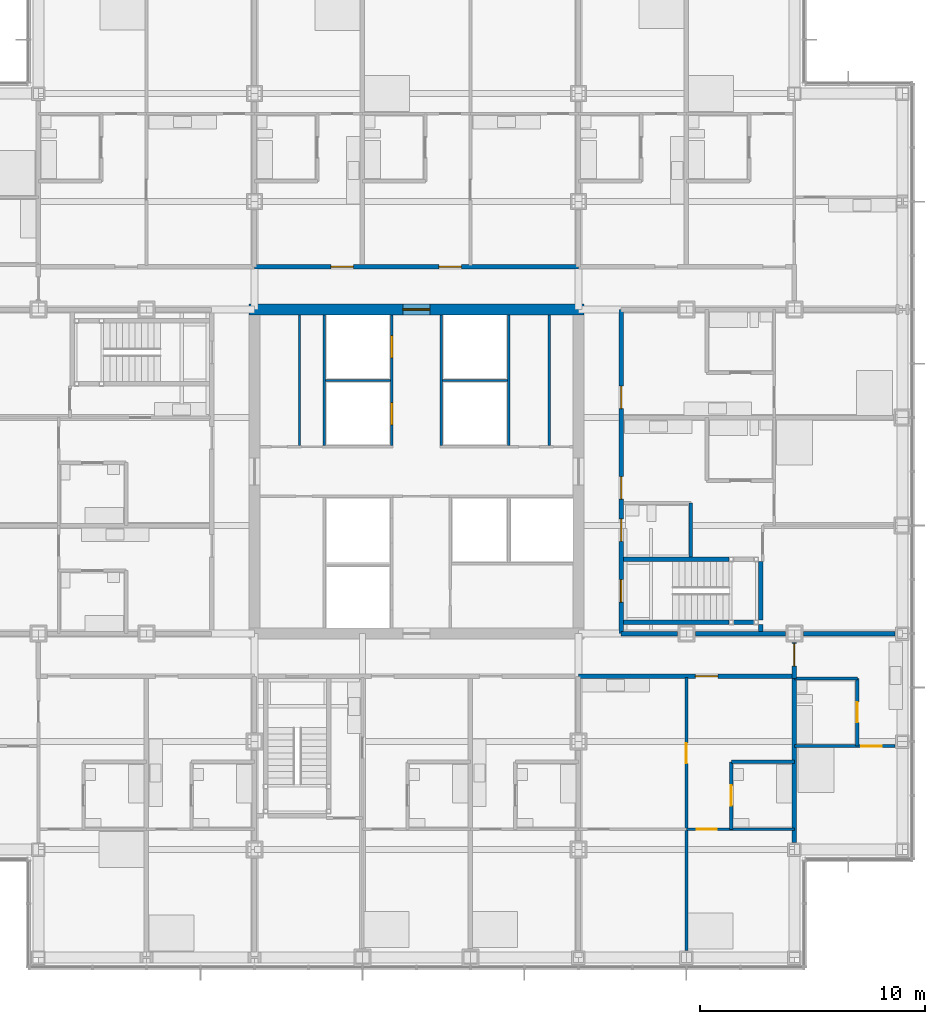
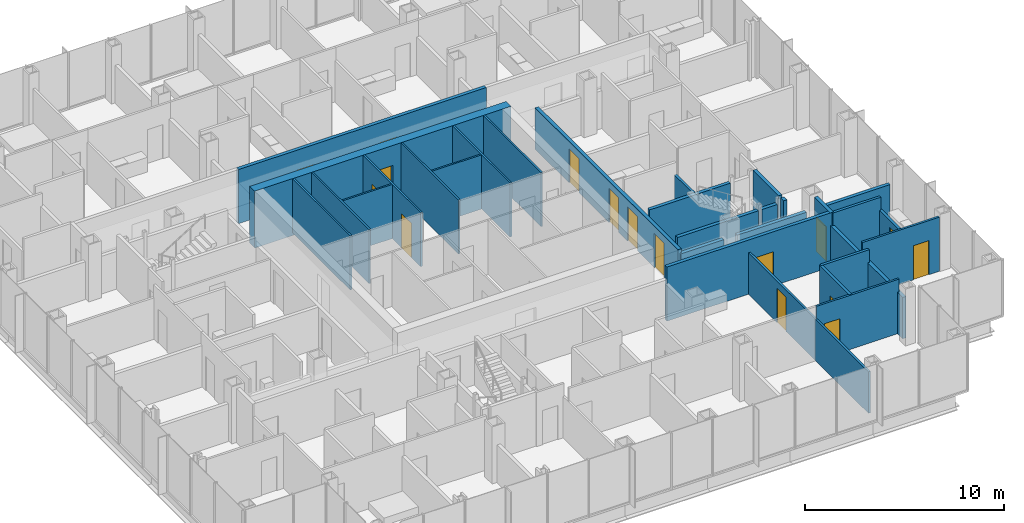
# One storey, part 16 of 21: 31 walls, 16 doors, 16 openings.
"""IFC4 building model written with IfcOpenShell, lengths in metres."""

from ifc_helpers import new_model, si_unit, direction, frame, frame_2d, origin, place, context, subcontext, project, spatial, rectangle, extrude, material, layer, layer_set, type_object, element, fill, save


model = new_model("IFC4")

# Units and contexts
model_context = context("Model", 3, precision=1e-05, world=origin(), true_north=direction((0.0, 1.0)))
body_context = subcontext(model_context, "Body", "Model", "MODEL_VIEW")
ifc_project = project(units=[si_unit("LENGTHUNIT", "METRE"), si_unit("AREAUNIT", "SQUARE_METRE"), si_unit("VOLUMEUNIT", "CUBIC_METRE"), si_unit("PLANEANGLEUNIT", "RADIAN"), si_unit("MASSUNIT", "GRAM", prefix="KILO")], contexts=[model_context])

# Site, building, storey
site_placement = place(None, origin())
site = spatial("IfcSite", under=ifc_project, at=site_placement, CompositionType="ELEMENT")
building_placement = place(site_placement, origin())
building = spatial("IfcBuilding", under=site, at=building_placement, Name="Kvirike Care Tower", CompositionType="ELEMENT")
storey_placement = place(building_placement, frame((0.0, 0.0, 30.5)))
storey = spatial("IfcBuildingStorey", under=building, at=storey_placement, Name="L07", CompositionType="ELEMENT", Elevation=30.5)

# Wall, opening, door
ifc_material_1 = material(Name="Moisture-resistant board partition", Category="gypsum")
ifc_layer_1 = layer(ifc_material_1, 0.14990234375)
ifc_layer_set_1 = layer_set([ifc_layer_1], Name="BATHROOM WALL 150")
wall_type_1 = type_object("IfcWallType", Name="BATHROOM WALL 150", PredefinedType="PARTITIONING", material=ifc_layer_set_1)
wall_1_placement = place(storey_placement, frame((35.60009765625, 20.10009765625, 0.0), z_axis=(0.0, 0.0, 1.0), x_axis=(0.0, 1.0, 0.0)))
wall_1 = element("IfcWall", 1, at=wall_1_placement, inside=storey, type_object=wall_type_1, Name="Bathroom Wall 150 L07", PredefinedType="PARTITIONING", context=body_context, shape_type="SweptSolid", body=[
    extrude(rectangle(XDim=3.0, YDim=0.14990234375, at=frame_2d((1.5, 0.0))), origin(), (0.0, 0.0, 1.0), 3.330078125),
])
opening_1_placement = place(wall_1_placement, frame((1.050048828125, 0.0, 0.0)))
opening_1 = element("IfcOpeningElement", 2, at=opening_1_placement, cuts=wall_1, Name="Opening 07-043", PredefinedType="OPENING", context=body_context, shape_type="SweptSolid", body=[
    extrude(rectangle(XDim=0.89990234375, YDim=2.10009765625, at=frame_2d((0.449951171875, 1.050048828125))), frame((0.0, 0.08544921875, 0.0), z_axis=(0.0, -1.0, 0.0), x_axis=(1.0, 0.0, 0.0)), (0.0, 0.0, 1.0), 0.1708984375),
])
ifc_material_2 = material(Name="Timber door set", Category="wood")
door_type_1 = type_object("IfcDoorType", Name="BATHROOM DOOR 900", OperationType="SINGLE_SWING_RIGHT", PredefinedType="DOOR", material=ifc_material_2)
door_1_placement = place(opening_1_placement, frame((0.89990234375, 0.0, 0.0), z_axis=(0.0, 0.0, 1.0), x_axis=(-1.0, 0.0, 0.0)))
door_1 = element("IfcDoor", 3, at=door_1_placement, inside=storey, type_object=door_type_1, Name="Bathroom door", OperationType="SINGLE_SWING_RIGHT", OverallHeight=2.10009765625, OverallWidth=0.89990234375, PredefinedType="DOOR", context=body_context, shape_type="SweptSolid", body=[
    extrude(rectangle(XDim=0.89990234375, YDim=2.10009765625, at=frame_2d((0.449951171875, 1.050048828125))), frame((0.0, 0.02197265625, 0.0), z_axis=(0.0, -1.0, 0.0), x_axis=(1.0, 0.0, 0.0)), (0.0, 0.0, 1.0), 0.0439453125),
])
fill(opening_1, door_1)

# Wall
wall_2_placement = place(storey_placement, frame((35.60009765625, 23.10009765625, 0.0), z_axis=(0.0, 0.0, 1.0), x_axis=(1.0, 0.0, 0.0)))
element("IfcWall", 4, at=wall_2_placement, inside=storey, type_object=wall_type_1, Name="Bathroom Wall 150 L07", PredefinedType="PARTITIONING", context=body_context, shape_type="SweptSolid", body=[
    extrude(rectangle(XDim=2.7998046875, YDim=0.14990234375, at=frame_2d((1.39990234375, 0.0))), origin(), (0.0, 0.0, 1.0), 3.330078125),
])

# Wall, opening, door
wall_3_placement = place(storey_placement, frame((41.199951171875, 23.800048828125, 0.0), z_axis=(0.0, 0.0, 1.0), x_axis=(0.0, 1.0, 0.0)))
wall_3 = element("IfcWall", 5, at=wall_3_placement, inside=storey, type_object=wall_type_1, Name="Bathroom Wall 150 L07", PredefinedType="PARTITIONING", context=body_context, shape_type="SweptSolid", body=[
    extrude(rectangle(XDim=3.0, YDim=0.14990234375, at=frame_2d((1.5, 0.0))), origin(), (0.0, 0.0, 1.0), 2.550048828125),
])
opening_2_placement = place(wall_3_placement, frame((1.050048828125, 0.0, 0.0)))
opening_2 = element("IfcOpeningElement", 6, at=opening_2_placement, cuts=wall_3, Name="Opening 07-047", PredefinedType="OPENING", context=body_context, shape_type="SweptSolid", body=[
    extrude(rectangle(XDim=0.89990234375, YDim=2.10009765625, at=frame_2d((0.449951171875, 1.050048828125))), frame((0.0, 0.08544921875, 0.0), z_axis=(0.0, -1.0, 0.0), x_axis=(1.0, 0.0, 0.0)), (0.0, 0.0, 1.0), 0.1708984375),
])
door_2_placement = place(opening_2_placement, origin())
door_2 = element("IfcDoor", 7, at=door_2_placement, inside=storey, type_object=door_type_1, Name="Bathroom door", OperationType="SINGLE_SWING_LEFT", OverallHeight=2.10009765625, OverallWidth=0.89990234375, PredefinedType="DOOR", context=body_context, shape_type="SweptSolid", body=[
    extrude(rectangle(XDim=0.89990234375, YDim=2.10009765625, at=frame_2d((0.449951171875, 1.050048828125))), frame((0.0, 0.02197265625, 0.0), z_axis=(0.0, -1.0, 0.0), x_axis=(1.0, 0.0, 0.0)), (0.0, 0.0, 1.0), 0.0439453125),
])
fill(opening_2, door_2)

# Walls
wall_4_placement = place(storey_placement, frame((38.39990234375, 26.800048828125, 0.0), z_axis=(0.0, 0.0, 1.0), x_axis=(1.0, 0.0, 0.0)))
element("IfcWall", 8, at=wall_4_placement, inside=storey, type_object=wall_type_1, Name="Bathroom Wall 150 L07", PredefinedType="PARTITIONING", context=body_context, shape_type="SweptSolid", body=[
    extrude(rectangle(XDim=2.800048828125, YDim=0.14990234375, at=frame_2d((1.39990234375, 0.0))), origin(), (0.0, 0.0, 1.0), 3.330078125),
])
wall_5_placement = place(storey_placement, frame((33.800048828125, 32.199951171875, 0.0), z_axis=(0.0, 0.0, 1.0), x_axis=(0.0, 1.0, 0.0)))
element("IfcWall", 9, at=wall_5_placement, inside=storey, type_object=wall_type_1, Name="Bathroom Wall 150 L07", PredefinedType="PARTITIONING", context=body_context, shape_type="SweptSolid", body=[
    extrude(rectangle(XDim=2.400146484375, YDim=0.14990234375, at=frame_2d((1.2001953125, 0.0))), origin(), (0.0, 0.0, 1.0), 2.550048828125),
])

# Wall, opening, door
ifc_material_3 = material(Name="Concrete C60/75", Category="concrete")
ifc_layer_2 = layer(ifc_material_3, 0.5)
ifc_layer_set_2 = layer_set([ifc_layer_2], Name="CORE WALL 500 C60-75")
wall_type_2 = type_object("IfcWallType", Name="CORE WALL 500 C60-75", PredefinedType="SHEAR", material=ifc_layer_set_2)
wall_6_placement = place(storey_placement, frame((29.050048828125, 43.199951171875, -0.169921875), z_axis=(0.0, 0.0, 1.0), x_axis=(-1.0, 0.0, 0.0)))
wall_6 = element("IfcWall", 10, at=wall_6_placement, inside=storey, type_object=wall_type_2, Name="Core wall N L07", PredefinedType="SHEAR", context=body_context, shape_type="SweptSolid", body=[
    extrude(rectangle(XDim=14.900146484375, YDim=0.5, at=frame_2d((7.4501953125, 0.0))), origin(), (0.0, 0.0, 1.0), 3.5),
])
opening_3_placement = place(wall_6_placement, frame((6.85009765625, 0.0, 0.169921875)))
opening_3 = element("IfcOpeningElement", 11, at=opening_3_placement, cuts=wall_6, Name="Opening 07-082", PredefinedType="OPENING", context=body_context, shape_type="SweptSolid", body=[
    extrude(rectangle(XDim=1.199951171875, YDim=2.10009765625, at=frame_2d((0.60009765625, 1.050048828125))), frame((0.0, 0.260498046875, 0.0), z_axis=(0.0, -1.0, 0.0), x_axis=(1.0, 0.0, 0.0)), (0.0, 0.0, 1.0), 0.52099609375),
])
ifc_material_4 = material(Name="Timber door set", Category="wood")
door_type_2 = type_object("IfcDoorType", Name="CORE DOOR 1200", OperationType="SINGLE_SWING_LEFT", PredefinedType="DOOR", material=ifc_material_4)
door_3_placement = place(opening_3_placement, origin())
door_3 = element("IfcDoor", 12, at=door_3_placement, inside=storey, type_object=door_type_2, Name="Core door N L07", OperationType="SINGLE_SWING_LEFT", OverallHeight=2.10009765625, OverallWidth=1.199951171875, PredefinedType="DOOR", context=body_context, shape_type="SweptSolid", body=[
    extrude(rectangle(XDim=1.199951171875, YDim=2.10009765625, at=frame_2d((0.60009765625, 1.050048828125))), frame((0.0, 0.02685546875, 0.0), z_axis=(0.0, -1.0, 0.0), x_axis=(1.0, 0.0, 0.0)), (0.0, 0.0, 1.0), 0.053955078125),
])
fill(opening_3, door_3)

# Wall, openings, doors
ifc_material_5 = material(Name="Plasterboard corridor wall", Category="gypsum")
ifc_layer_3 = layer(ifc_material_5, 0.199951171875)
ifc_layer_set_3 = layer_set([ifc_layer_3], Name="CORRIDOR WALL 200")
wall_type_3 = type_object("IfcWallType", Name="CORRIDOR WALL 200", PredefinedType="PARTITIONING", material=ifc_layer_set_3)
wall_7_placement = place(storey_placement, frame((28.800048828125, 45.10009765625, 0.0), z_axis=(0.0, 0.0, 1.0), x_axis=(-1.0, 0.0, 0.0)))
wall_7 = element("IfcWall", 13, at=wall_7_placement, inside=storey, type_object=wall_type_3, Name="Corridor Wall 200 L07", PredefinedType="PARTITIONING", context=body_context, shape_type="SweptSolid", body=[
    extrude(rectangle(XDim=14.400146484375, YDim=0.199951171875, at=frame_2d((7.2001953125, 0.0))), origin(), (0.0, 0.0, 1.0), 3.330078125),
])
opening_4_placement = place(wall_7_placement, frame((5.199951171875, 0.0, 0.0)))
opening_4 = element("IfcOpeningElement", 14, at=opening_4_placement, cuts=wall_7, Name="Opening 07-041", PredefinedType="OPENING", context=body_context, shape_type="SweptSolid", body=[
    extrude(rectangle(XDim=1.0, YDim=2.10009765625, at=frame_2d((0.5, 1.050048828125))), frame((0.0, 0.110595703125, 0.0), z_axis=(0.0, -1.0, 0.0), x_axis=(1.0, 0.0, 0.0)), (0.0, 0.0, 1.0), 0.220947265625),
])
opening_5_placement = place(wall_7_placement, frame((10.0, 0.0, 0.0)))
opening_5 = element("IfcOpeningElement", 15, at=opening_5_placement, cuts=wall_7, Name="Opening 07-042", PredefinedType="OPENING", context=body_context, shape_type="SweptSolid", body=[
    extrude(rectangle(XDim=1.0, YDim=2.10009765625, at=frame_2d((0.5, 1.050048828125))), frame((0.0, 0.110595703125, 0.0), z_axis=(0.0, -1.0, 0.0), x_axis=(1.0, 0.0, 0.0)), (0.0, 0.0, 1.0), 0.220947265625),
])
ifc_material_6 = material(Name="Timber door set", Category="wood")
door_type_3 = type_object("IfcDoorType", Name="FLAT ENTRANCE DOOR 1000", OperationType="SINGLE_SWING_LEFT", PredefinedType="DOOR", material=ifc_material_6)
door_4_placement = place(opening_4_placement, frame((1.0, 0.0, 0.0), z_axis=(0.0, 0.0, 1.0), x_axis=(-1.0, 0.0, 0.0)))
door_4 = element("IfcDoor", 16, at=door_4_placement, inside=storey, type_object=door_type_3, Name="One-bedroom apartment entrance", OperationType="SINGLE_SWING_LEFT", OverallHeight=2.10009765625, OverallWidth=1.0, PredefinedType="DOOR", context=body_context, shape_type="SweptSolid", body=[
    extrude(rectangle(XDim=1.0, YDim=2.10009765625, at=frame_2d((0.5, 1.050048828125))), frame((0.0, 0.02685546875, 0.0), z_axis=(0.0, -1.0, 0.0), x_axis=(1.0, 0.0, 0.0)), (0.0, 0.0, 1.0), 0.053955078125),
])
fill(opening_4, door_4)
door_5_placement = place(opening_5_placement, frame((1.0, 0.0, 0.0), z_axis=(0.0, 0.0, 1.0), x_axis=(-1.0, 0.0, 0.0)))
door_5 = element("IfcDoor", 17, at=door_5_placement, inside=storey, type_object=door_type_3, Name="Studio apartment entrance", OperationType="SINGLE_SWING_LEFT", OverallHeight=2.10009765625, OverallWidth=1.0, PredefinedType="DOOR", context=body_context, shape_type="SweptSolid", body=[
    extrude(rectangle(XDim=1.0, YDim=2.10009765625, at=frame_2d((0.5, 1.050048828125))), frame((0.0, 0.02685546875, 0.0), z_axis=(0.0, -1.0, 0.0), x_axis=(1.0, 0.0, 0.0)), (0.0, 0.0, 1.0), 0.053955078125),
])
fill(opening_5, door_5)

# Wall, opening, door
wall_8_placement = place(storey_placement, frame((28.800048828125, 26.89990234375, 0.0), z_axis=(0.0, 0.0, 1.0), x_axis=(1.0, 0.0, 0.0)))
wall_8 = element("IfcWall", 18, at=wall_8_placement, inside=storey, type_object=wall_type_3, Name="Corridor Wall 200 L07", PredefinedType="PARTITIONING", context=body_context, shape_type="SweptSolid", body=[
    extrude(rectangle(XDim=9.599853515625, YDim=0.199951171875, at=frame_2d((4.7998046875, 0.0))), origin(), (0.0, 0.0, 1.0), 3.330078125),
])
opening_6_placement = place(wall_8_placement, frame((5.199951171875, 0.0, 0.0)))
opening_6 = element("IfcOpeningElement", 19, at=opening_6_placement, cuts=wall_8, Name="Opening 07-049", PredefinedType="OPENING", context=body_context, shape_type="SweptSolid", body=[
    extrude(rectangle(XDim=1.0, YDim=2.10009765625, at=frame_2d((0.5, 1.050048828125))), frame((0.0, 0.110595703125, 0.0), z_axis=(0.0, -1.0, 0.0), x_axis=(1.0, 0.0, 0.0)), (0.0, 0.0, 1.0), 0.220947265625),
])
door_6_placement = place(opening_6_placement, frame((1.0, 0.0, 0.0), z_axis=(0.0, 0.0, 1.0), x_axis=(-1.0, 0.0, 0.0)))
door_6 = element("IfcDoor", 20, at=door_6_placement, inside=storey, type_object=door_type_3, Name="One-bedroom apartment entrance", OperationType="SINGLE_SWING_LEFT", OverallHeight=2.10009765625, OverallWidth=1.0, PredefinedType="DOOR", context=body_context, shape_type="SweptSolid", body=[
    extrude(rectangle(XDim=1.0, YDim=2.10009765625, at=frame_2d((0.5, 1.050048828125))), frame((0.0, 0.02685546875, 0.0), z_axis=(0.0, -1.0, 0.0), x_axis=(1.0, 0.0, 0.0)), (0.0, 0.0, 1.0), 0.053955078125),
])
fill(opening_6, door_6)

wall_9_placement = place(storey_placement, frame((38.39990234375, 26.800048828125, 0.0), z_axis=(0.0, 0.0, 1.0), x_axis=(0.0, 1.0, 0.0)))
wall_9 = element("IfcWall", 21, at=wall_9_placement, inside=storey, type_object=wall_type_3, Name="Corridor Wall 200 L07", PredefinedType="PARTITIONING", context=body_context, shape_type="SweptSolid", body=[
    extrude(rectangle(XDim=1.60498046875, YDim=0.199951171875, at=frame_2d((0.802490234375, 0.0))), origin(), (0.0, 0.0, 1.0), 3.330078125),
])
opening_7_placement = place(wall_9_placement, frame((0.550048828125, 0.0, 0.0)))
opening_7 = element("IfcOpeningElement", 22, at=opening_7_placement, cuts=wall_9, Name="Opening 07-050", PredefinedType="OPENING", context=body_context, shape_type="SweptSolid", body=[
    extrude(rectangle(XDim=1.0, YDim=2.10009765625, at=frame_2d((0.5, 1.050048828125))), frame((0.0, 0.110595703125, 0.0), z_axis=(0.0, -1.0, 0.0), x_axis=(1.0, 0.0, 0.0)), (0.0, 0.0, 1.0), 0.220947265625),
])
door_7_placement = place(opening_7_placement, frame((1.0, 0.0, 0.0), z_axis=(0.0, 0.0, 1.0), x_axis=(-1.0, 0.0, 0.0)))
door_7 = element("IfcDoor", 23, at=door_7_placement, inside=storey, type_object=door_type_3, Name="Studio apartment entrance", OperationType="SINGLE_SWING_RIGHT", OverallHeight=2.10009765625, OverallWidth=1.0, PredefinedType="DOOR", context=body_context, shape_type="SweptSolid", body=[
    extrude(rectangle(XDim=1.0, YDim=2.10009765625, at=frame_2d((0.5, 1.050048828125))), frame((0.0, 0.02685546875, 0.0), z_axis=(0.0, -1.0, 0.0), x_axis=(1.0, 0.0, 0.0)), (0.0, 0.0, 1.0), 0.053955078125),
])
fill(opening_7, door_7)

# Wall, openings, doors
wall_10_placement = place(storey_placement, frame((30.699951171875, 28.800048828125, 0.0), z_axis=(0.0, 0.0, 1.0), x_axis=(0.0, 1.0, 0.0)))
wall_10 = element("IfcWall", 24, at=wall_10_placement, inside=storey, type_object=wall_type_3, Name="Corridor Wall 200 L07", PredefinedType="PARTITIONING", context=body_context, shape_type="SweptSolid", body=[
    extrude(rectangle(XDim=14.39990234375, YDim=0.199951171875, at=frame_2d((7.199951171875, 0.0))), origin(), (0.0, 0.0, 1.0), 2.550048828125),
])
opening_8_placement = place(wall_10_placement, frame((1.39990234375, 0.0, 0.0)))
opening_8 = element("IfcOpeningElement", 25, at=opening_8_placement, cuts=wall_10, Name="Opening 07-056", PredefinedType="OPENING", context=body_context, shape_type="SweptSolid", body=[
    extrude(rectangle(XDim=1.0, YDim=2.10009765625, at=frame_2d((0.5, 1.050048828125))), frame((0.0, 0.110595703125, 0.0), z_axis=(0.0, -1.0, 0.0), x_axis=(1.0, 0.0, 0.0)), (0.0, 0.0, 1.0), 0.220947265625),
])
opening_9_placement = place(wall_10_placement, frame((4.10009765625, 0.0, 0.0)))
opening_9 = element("IfcOpeningElement", 26, at=opening_9_placement, cuts=wall_10, Name="Opening 07-057", PredefinedType="OPENING", context=body_context, shape_type="SweptSolid", body=[
    extrude(rectangle(XDim=1.0, YDim=2.10009765625, at=frame_2d((0.5, 1.050048828125))), frame((0.0, 0.110595703125, 0.0), z_axis=(0.0, -1.0, 0.0), x_axis=(1.0, 0.0, 0.0)), (0.0, 0.0, 1.0), 0.220947265625),
])
opening_10_placement = place(wall_10_placement, frame((5.97509765625, 0.0, 0.0)))
opening_10 = element("IfcOpeningElement", 27, at=opening_10_placement, cuts=wall_10, Name="Opening 07-058", PredefinedType="OPENING", context=body_context, shape_type="SweptSolid", body=[
    extrude(rectangle(XDim=1.0, YDim=2.10009765625, at=frame_2d((0.5, 1.050048828125))), frame((0.0, 0.110595703125, 0.0), z_axis=(0.0, -1.0, 0.0), x_axis=(1.0, 0.0, 0.0)), (0.0, 0.0, 1.0), 0.220947265625),
])
opening_11_placement = place(wall_10_placement, frame((10.0, 0.0, 0.0)))
opening_11 = element("IfcOpeningElement", 28, at=opening_11_placement, cuts=wall_10, Name="Opening 07-059", PredefinedType="OPENING", context=body_context, shape_type="SweptSolid", body=[
    extrude(rectangle(XDim=1.0, YDim=2.10009765625, at=frame_2d((0.5, 1.050048828125))), frame((0.0, 0.110595703125, 0.0), z_axis=(0.0, -1.0, 0.0), x_axis=(1.0, 0.0, 0.0)), (0.0, 0.0, 1.0), 0.220947265625),
])
door_8_placement = place(opening_10_placement, frame((1.0, 0.0, 0.0), z_axis=(0.0, 0.0, 1.0), x_axis=(-1.0, 0.0, 0.0)))
door_8 = element("IfcDoor", 29, at=door_8_placement, inside=storey, type_object=door_type_3, Name="One-bedroom apartment entrance", OperationType="SINGLE_SWING_LEFT", OverallHeight=2.10009765625, OverallWidth=1.0, PredefinedType="DOOR", context=body_context, shape_type="SweptSolid", body=[
    extrude(rectangle(XDim=1.0, YDim=2.10009765625, at=frame_2d((0.5, 1.050048828125))), frame((0.0, 0.02685546875, 0.0), z_axis=(0.0, -1.0, 0.0), x_axis=(1.0, 0.0, 0.0)), (0.0, 0.0, 1.0), 0.053955078125),
])
fill(opening_10, door_8)
door_9_placement = place(opening_11_placement, frame((1.0, 0.0, 0.0), z_axis=(0.0, 0.0, 1.0), x_axis=(-1.0, 0.0, 0.0)))
door_9 = element("IfcDoor", 30, at=door_9_placement, inside=storey, type_object=door_type_3, Name="Studio apartment entrance", OperationType="SINGLE_SWING_LEFT", OverallHeight=2.10009765625, OverallWidth=1.0, PredefinedType="DOOR", context=body_context, shape_type="SweptSolid", body=[
    extrude(rectangle(XDim=1.0, YDim=2.10009765625, at=frame_2d((0.5, 1.050048828125))), frame((0.0, 0.02685546875, 0.0), z_axis=(0.0, -1.0, 0.0), x_axis=(1.0, 0.0, 0.0)), (0.0, 0.0, 1.0), 0.053955078125),
])
fill(opening_11, door_9)
ifc_material_7 = material(Name="Timber door set", Category="wood")
door_type_4 = type_object("IfcDoorType", Name="STAIR DOOR 1000", OperationType="SINGLE_SWING_LEFT", PredefinedType="DOOR", material=ifc_material_7)
door_10_placement = place(opening_8_placement, frame((1.0, 0.0, 0.0), z_axis=(0.0, 0.0, 1.0), x_axis=(-1.0, 0.0, 0.0)))
door_10 = element("IfcDoor", 31, at=door_10_placement, inside=storey, type_object=door_type_4, Name="Stair 2 door", OperationType="SINGLE_SWING_RIGHT", OverallHeight=2.10009765625, OverallWidth=1.0, PredefinedType="DOOR", context=body_context, shape_type="SweptSolid", body=[
    extrude(rectangle(XDim=1.0, YDim=2.10009765625, at=frame_2d((0.5, 1.050048828125))), frame((0.0, 0.031982421875, 0.0), z_axis=(0.0, -1.0, 0.0), x_axis=(1.0, 0.0, 0.0)), (0.0, 0.0, 1.0), 0.06396484375),
])
fill(opening_8, door_10)
ifc_material_8 = material(Name="Timber door set", Category="wood")
door_type_5 = type_object("IfcDoorType", Name="WC DOOR 1000", OperationType="SINGLE_SWING_LEFT", PredefinedType="DOOR", material=ifc_material_8)
door_11_placement = place(opening_9_placement, frame((1.0, 0.0, 0.0), z_axis=(0.0, 0.0, 1.0), x_axis=(-1.0, 0.0, 0.0)))
door_11 = element("IfcDoor", 32, at=door_11_placement, inside=storey, type_object=door_type_5, Name="Accessible WC door", OperationType="SINGLE_SWING_LEFT", OverallHeight=2.10009765625, OverallWidth=1.0, PredefinedType="DOOR", context=body_context, shape_type="SweptSolid", body=[
    extrude(rectangle(XDim=1.0, YDim=2.10009765625, at=frame_2d((0.5, 1.050048828125))), frame((0.0, 0.02685546875, 0.0), z_axis=(0.0, -1.0, 0.0), x_axis=(1.0, 0.0, 0.0)), (0.0, 0.0, 1.0), 0.053955078125),
])
fill(opening_9, door_11)

# Wall, opening, door
ifc_material_9 = material(Name="Plasterboard partition", Category="gypsum")
ifc_layer_4 = layer(ifc_material_9, 0.1201171875)
ifc_layer_set_4 = layer_set([ifc_layer_4], Name="PARTITION 120")
wall_type_4 = type_object("IfcWallType", Name="PARTITION 120", PredefinedType="PARTITIONING", material=ifc_layer_set_4)
wall_11_placement = place(storey_placement, frame((33.60009765625, 20.10009765625, 0.0), z_axis=(0.0, 0.0, 1.0), x_axis=(0.0, 1.0, 0.0)))
wall_11 = element("IfcWall", 33, at=wall_11_placement, inside=storey, type_object=wall_type_4, Name="Partition 120 L07", PredefinedType="PARTITIONING", context=body_context, shape_type="SweptSolid", body=[
    extrude(rectangle(XDim=6.75, YDim=0.1201171875, at=frame_2d((3.375, 0.0))), origin(), (0.0, 0.0, 1.0), 2.550048828125),
])
opening_12_placement = place(wall_11_placement, frame((2.925048828125, 0.0, 0.0)))
opening_12 = element("IfcOpeningElement", 34, at=opening_12_placement, cuts=wall_11, Name="Opening 07-044", PredefinedType="OPENING", context=body_context, shape_type="SweptSolid", body=[
    extrude(rectangle(XDim=0.89990234375, YDim=2.10009765625, at=frame_2d((0.449951171875, 1.050048828125))), frame((0.0, 0.070556640625, 0.0), z_axis=(0.0, -1.0, 0.0), x_axis=(1.0, 0.0, 0.0)), (0.0, 0.0, 1.0), 0.14111328125),
])
ifc_material_10 = material(Name="Timber door set", Category="wood")
door_type_6 = type_object("IfcDoorType", Name="INTERNAL DOOR 900", OperationType="SINGLE_SWING_LEFT", PredefinedType="DOOR", material=ifc_material_10)
door_12_placement = place(opening_12_placement, frame((0.89990234375, 0.0, 0.0), z_axis=(0.0, 0.0, 1.0), x_axis=(-1.0, 0.0, 0.0)))
door_12 = element("IfcDoor", 35, at=door_12_placement, inside=storey, type_object=door_type_6, Name="Hall door", OperationType="SINGLE_SWING_RIGHT", OverallHeight=2.10009765625, OverallWidth=0.89990234375, PredefinedType="DOOR", context=body_context, shape_type="SweptSolid", body=[
    extrude(rectangle(XDim=0.89990234375, YDim=2.10009765625, at=frame_2d((0.449951171875, 1.050048828125))), frame((0.0, 0.02197265625, 0.0), z_axis=(0.0, -1.0, 0.0), x_axis=(1.0, 0.0, 0.0)), (0.0, 0.0, 1.0), 0.0439453125),
])
fill(opening_12, door_12)

wall_12_placement = place(storey_placement, frame((33.60009765625, 20.10009765625, 0.0), z_axis=(0.0, 0.0, 1.0), x_axis=(1.0, 0.0, 0.0)))
wall_12 = element("IfcWall", 36, at=wall_12_placement, inside=storey, type_object=wall_type_4, Name="Partition 120 L07", PredefinedType="PARTITIONING", context=body_context, shape_type="SweptSolid", body=[
    extrude(rectangle(XDim=4.7998046875, YDim=0.1201171875, at=frame_2d((2.39990234375, 0.0))), origin(), (0.0, 0.0, 1.0), 3.330078125),
])
opening_13_placement = place(wall_12_placement, frame((0.449951171875, 0.0, 0.0)))
opening_13 = element("IfcOpeningElement", 37, at=opening_13_placement, cuts=wall_12, Name="Opening 07-046", PredefinedType="OPENING", context=body_context, shape_type="SweptSolid", body=[
    extrude(rectangle(XDim=0.89990234375, YDim=2.10009765625, at=frame_2d((0.449951171875, 1.050048828125))), frame((0.0, 0.070556640625, 0.0), z_axis=(0.0, -1.0, 0.0), x_axis=(1.0, 0.0, 0.0)), (0.0, 0.0, 1.0), 0.14111328125),
])
door_13_placement = place(opening_13_placement, origin())
door_13 = element("IfcDoor", 38, at=door_13_placement, inside=storey, type_object=door_type_6, Name="Apartment bedroom door", OperationType="SINGLE_SWING_RIGHT", OverallHeight=2.10009765625, OverallWidth=0.89990234375, PredefinedType="DOOR", context=body_context, shape_type="SweptSolid", body=[
    extrude(rectangle(XDim=0.89990234375, YDim=2.10009765625, at=frame_2d((0.449951171875, 1.050048828125))), frame((0.0, 0.02197265625, 0.0), z_axis=(0.0, -1.0, 0.0), x_axis=(1.0, 0.0, 0.0)), (0.0, 0.0, 1.0), 0.0439453125),
])
fill(opening_13, door_13)

# Wall
wall_13_placement = place(storey_placement, frame((33.60009765625, 14.719970703125, 0.0), z_axis=(0.0, 0.0, 1.0), x_axis=(0.0, 1.0, 0.0)))
element("IfcWall", 39, at=wall_13_placement, inside=storey, type_object=wall_type_4, Name="Partition 120 L07", PredefinedType="PARTITIONING", context=body_context, shape_type="SweptSolid", body=[
    extrude(rectangle(XDim=5.380126953125, YDim=0.1201171875, at=frame_2d((2.68994140625, 0.0))), origin(), (0.0, 0.0, 1.0), 2.550048828125),
])

# Wall, opening, door
wall_14_placement = place(storey_placement, frame((38.39990234375, 23.800048828125, 0.0), z_axis=(0.0, 0.0, 1.0), x_axis=(1.0, 0.0, 0.0)))
wall_14 = element("IfcWall", 40, at=wall_14_placement, inside=storey, type_object=wall_type_4, Name="Partition 120 L07", PredefinedType="PARTITIONING", context=body_context, shape_type="SweptSolid", body=[
    extrude(rectangle(XDim=4.47998046875, YDim=0.1201171875, at=frame_2d((2.239990234375, 0.0))), origin(), (0.0, 0.0, 1.0), 3.330078125),
])
opening_14_placement = place(wall_14_placement, frame((2.97509765625, 0.0, 0.0)))
opening_14 = element("IfcOpeningElement", 41, at=opening_14_placement, cuts=wall_14, Name="Opening 07-048", PredefinedType="OPENING", context=body_context, shape_type="SweptSolid", body=[
    extrude(rectangle(XDim=0.89990234375, YDim=2.10009765625, at=frame_2d((0.449951171875, 1.050048828125))), frame((0.0, 0.070556640625, 0.0), z_axis=(0.0, -1.0, 0.0), x_axis=(1.0, 0.0, 0.0)), (0.0, 0.0, 1.0), 0.14111328125),
])
door_14_placement = place(opening_14_placement, origin())
door_14 = element("IfcDoor", 42, at=door_14_placement, inside=storey, type_object=door_type_6, Name="Studio apartment living room door", OperationType="SINGLE_SWING_RIGHT", OverallHeight=2.10009765625, OverallWidth=0.89990234375, PredefinedType="DOOR", context=body_context, shape_type="SweptSolid", body=[
    extrude(rectangle(XDim=0.89990234375, YDim=2.10009765625, at=frame_2d((0.449951171875, 1.050048828125))), frame((0.0, 0.02197265625, 0.0), z_axis=(0.0, -1.0, 0.0), x_axis=(1.0, 0.0, 0.0)), (0.0, 0.0, 1.0), 0.0439453125),
])
fill(opening_14, door_14)

# Walls
ifc_material_11 = material(Name="Plasterboard party wall", Category="gypsum")
ifc_layer_5 = layer(ifc_material_11, 0.199951171875)
ifc_layer_set_5 = layer_set([ifc_layer_5], Name="PARTY WALL 200")
wall_type_5 = type_object("IfcWallType", Name="PARTY WALL 200", PredefinedType="PARTITIONING", material=ifc_layer_set_5)
wall_15_placement = place(storey_placement, frame((38.39990234375, 19.52001953125, 0.0), z_axis=(0.0, 0.0, 1.0), x_axis=(0.0, 1.0, 0.0)))
element("IfcWall", 43, at=wall_15_placement, inside=storey, type_object=wall_type_5, Name="Party Wall 200 L07", PredefinedType="PARTITIONING", context=body_context, shape_type="SweptSolid", body=[
    extrude(rectangle(XDim=7.280029296875, YDim=0.199951171875, at=frame_2d((3.64013671875, 0.0))), origin(), (0.0, 0.0, 1.0), 2.550048828125),
])
wall_16_placement = place(storey_placement, frame((42.8798828125, 28.800048828125, 0.0), z_axis=(0.0, 0.0, 1.0), x_axis=(-1.0, 0.0, 0.0)))
element("IfcWall", 44, at=wall_16_placement, inside=storey, type_object=wall_type_5, Name="Party Wall 200 L07", PredefinedType="PARTITIONING", context=body_context, shape_type="SweptSolid", body=[
    extrude(rectangle(XDim=4.0849609375, YDim=0.199951171875, at=frame_2d((2.04248046875, 0.0))), origin(), (0.0, 0.0, 1.0), 2.320068359375),
])
wall_17_placement = place(storey_placement, frame((38.0048828125, 28.800048828125, 0.0), z_axis=(0.0, 0.0, 1.0), x_axis=(-1.0, 0.0, 0.0)))
element("IfcWall", 45, at=wall_17_placement, inside=storey, type_object=wall_type_5, Name="Party Wall 200 L07", PredefinedType="PARTITIONING", context=body_context, shape_type="SweptSolid", body=[
    extrude(rectangle(XDim=4.009765625, YDim=0.199951171875, at=frame_2d((2.0048828125, 0.0))), origin(), (0.0, 0.0, 1.0), 2.320068359375),
])
wall_18_placement = place(storey_placement, frame((33.205078125, 28.800048828125, 0.0), z_axis=(0.0, 0.0, 1.0), x_axis=(-1.0, 0.0, 0.0)))
element("IfcWall", 46, at=wall_18_placement, inside=storey, type_object=wall_type_5, Name="Party Wall 200 L07", PredefinedType="PARTITIONING", context=body_context, shape_type="SweptSolid", body=[
    extrude(rectangle(XDim=2.505126953125, YDim=0.199951171875, at=frame_2d((1.25244140625, 0.0))), origin(), (0.0, 0.0, 1.0), 2.320068359375),
])
ifc_material_12 = material(Name="Gypsum shaft wall system", Category="gypsum")
ifc_layer_6 = layer(ifc_material_12, 0.10009765625)
ifc_layer_set_6 = layer_set([ifc_layer_6], Name="SHAFT WALL 100")
wall_type_6 = type_object("IfcWallType", Name="SHAFT WALL 100", PredefinedType="SOLIDWALL", material=ifc_layer_set_6)
for number, where, z_axis, x_axis, name in (
    (47, (16.39990234375, 37.14990234375, 0.0), (0.0, 0.0, 1.0), (0.0, 1.0, 0.0), "Shaft Wall 100 L07"),
    (48, (27.5, 37.14990234375, 0.0), (0.0, 0.0, 1.0), (0.0, 1.0, 0.0), "Shaft Wall 100 L07"),
):
    element("IfcWall", number, at=place(storey_placement, frame(where, z_axis=z_axis, x_axis=x_axis)), inside=storey, type_object=wall_type_6, Name=name, PredefinedType="SOLIDWALL", context=body_context, shape_type="SweptSolid", body=[
        extrude(rectangle(XDim=5.800048828125, YDim=0.10009765625, at=frame_2d((2.89990234375, 0.0))), origin(), (0.0, 0.0, 1.0), 3.330078125),
    ])

# Wall, openings, doors
wall_19_placement = place(storey_placement, frame((20.5, 37.14990234375, 0.0), z_axis=(0.0, 0.0, 1.0), x_axis=(0.0, 1.0, 0.0)))
wall_19 = element("IfcWall", 49, at=wall_19_placement, inside=storey, type_object=wall_type_6, Name="Shaft Wall 100 L07", PredefinedType="SOLIDWALL", context=body_context, shape_type="SweptSolid", body=[
    extrude(rectangle(XDim=5.800048828125, YDim=0.10009765625, at=frame_2d((2.89990234375, 0.0))), origin(), (0.0, 0.0, 1.0), 3.330078125),
])
opening_15_placement = place(wall_19_placement, frame((0.925048828125, 0.0, 0.0)))
opening_15 = element("IfcOpeningElement", 50, at=opening_15_placement, cuts=wall_19, Name="Opening 07-070", PredefinedType="OPENING", context=body_context, shape_type="SweptSolid", body=[
    extrude(rectangle(XDim=1.0, YDim=2.10009765625, at=frame_2d((0.5, 1.050048828125))), frame((0.0, 0.060546875, 0.0), z_axis=(0.0, -1.0, 0.0), x_axis=(1.0, 0.0, 0.0)), (0.0, 0.0, 1.0), 0.12109375),
])
opening_16_placement = place(wall_19_placement, frame((3.89990234375, 0.0, 0.0)))
opening_16 = element("IfcOpeningElement", 51, at=opening_16_placement, cuts=wall_19, Name="Opening 07-071", PredefinedType="OPENING", context=body_context, shape_type="SweptSolid", body=[
    extrude(rectangle(XDim=1.0, YDim=2.10009765625, at=frame_2d((0.5, 1.050048828125))), frame((0.0, 0.060546875, 0.0), z_axis=(0.0, -1.0, 0.0), x_axis=(1.0, 0.0, 0.0)), (0.0, 0.0, 1.0), 0.12109375),
])
ifc_material_13 = material(Name="Aluminium door frame", Category="aluminium")
door_type_7 = type_object("IfcDoorType", Name="LIFT LANDING DOOR 1000", OperationType="SLIDING_TO_LEFT", PredefinedType="DOOR", material=ifc_material_13)
door_15_placement = place(opening_15_placement, origin())
door_15 = element("IfcDoor", 52, at=door_15_placement, inside=storey, type_object=door_type_7, Name="Lift P1 landing door", OperationType="SLIDING_TO_LEFT", OverallHeight=2.10009765625, OverallWidth=1.0, PredefinedType="DOOR", context=body_context, shape_type="SweptSolid", body=[
    extrude(rectangle(XDim=1.0, YDim=2.10009765625, at=frame_2d((0.5, 1.050048828125))), frame((0.0, 0.0498046875, 0.0), z_axis=(0.0, -1.0, 0.0), x_axis=(1.0, 0.0, 0.0)), (0.0, 0.0, 1.0), 0.099609375),
])
fill(opening_15, door_15)
door_16_placement = place(opening_16_placement, origin())
door_16 = element("IfcDoor", 53, at=door_16_placement, inside=storey, type_object=door_type_7, Name="Lift P2 landing door", OperationType="SLIDING_TO_LEFT", OverallHeight=2.10009765625, OverallWidth=1.0, PredefinedType="DOOR", context=body_context, shape_type="SweptSolid", body=[
    extrude(rectangle(XDim=1.0, YDim=2.10009765625, at=frame_2d((0.5, 1.050048828125))), frame((0.0, 0.0498046875, 0.0), z_axis=(0.0, -1.0, 0.0), x_axis=(1.0, 0.0, 0.0)), (0.0, 0.0, 1.0), 0.099609375),
])
fill(opening_16, door_16)

# Walls
for number, where, z_axis, x_axis, name in (
    (54, (22.699951171875, 37.14990234375, 0.0), (0.0, 0.0, 1.0), (0.0, 1.0, 0.0), "Shaft Wall 100 L07"),
    (55, (17.5, 37.14990234375, 0.0), (0.0, 0.0, 1.0), (0.0, 1.0, 0.0), "Shaft Wall 100 L07"),
):
    element("IfcWall", number, at=place(storey_placement, frame(where, z_axis=z_axis, x_axis=x_axis)), inside=storey, type_object=wall_type_6, Name=name, PredefinedType="SOLIDWALL", context=body_context, shape_type="SweptSolid", body=[
        extrude(rectangle(XDim=5.800048828125, YDim=0.10009765625, at=frame_2d((2.89990234375, 0.0))), origin(), (0.0, 0.0, 1.0), 3.330078125),
    ])
for number, where, z_axis, x_axis, name in (
    (56, (17.550048828125, 40.050048828125, 0.0), (0.0, 0.0, 1.0), (1.0, 0.0, 0.0), "Shaft Wall 100 L07"),
    (57, (22.75, 40.050048828125, 0.0), (0.0, 0.0, 1.0), (1.0, 0.0, 0.0), "Shaft Wall 100 L07"),
):
    element("IfcWall", number, at=place(storey_placement, frame(where, z_axis=z_axis, x_axis=x_axis)), inside=storey, type_object=wall_type_6, Name=name, PredefinedType="SOLIDWALL", context=body_context, shape_type="SweptSolid", body=[
        extrude(rectangle(XDim=2.89990234375, YDim=0.10009765625, at=frame_2d((1.449951171875, 0.0))), origin(), (0.0, 0.0, 1.0), 3.330078125),
    ])
wall_20_placement = place(storey_placement, frame((25.699951171875, 37.14990234375, 0.0), z_axis=(0.0, 0.0, 1.0), x_axis=(0.0, 1.0, 0.0)))
element("IfcWall", 58, at=wall_20_placement, inside=storey, type_object=wall_type_6, Name="Shaft Wall 100 L07", PredefinedType="SOLIDWALL", context=body_context, shape_type="SweptSolid", body=[
    extrude(rectangle(XDim=5.800048828125, YDim=0.10009765625, at=frame_2d((2.89990234375, 0.0))), origin(), (0.0, 0.0, 1.0), 3.330078125),
])
ifc_material_14 = material(Name="Concrete C40/50", Category="concrete")
ifc_layer_7 = layer(ifc_material_14, 0.199951171875)
ifc_layer_set_7 = layer_set([ifc_layer_7], Name="STAIR WALL 200")
wall_type_7 = type_object("IfcWallType", Name="STAIR WALL 200", PredefinedType="SOLIDWALL", material=ifc_layer_set_7)
wall_21_placement = place(storey_placement, frame((36.60009765625, 29.300048828125, 0.0), z_axis=(0.0, 0.0, 1.0), x_axis=(-1.0, 0.0, 0.0)))
element("IfcWall", 59, at=wall_21_placement, inside=storey, type_object=wall_type_7, Name="Stair Wall 200 L07", PredefinedType="SOLIDWALL", context=body_context, shape_type="SweptSolid", body=[
    extrude(rectangle(XDim=0.900146484375, YDim=0.199951171875, at=frame_2d((0.4501953125, 0.0))), origin(), (0.0, 0.0, 1.0), 2.989990234375),
])
for number, where, z_axis, x_axis, name in (
    (60, (35.5, 29.300048828125, 0.0), (0.0, 0.0, 1.0), (-1.0, 0.0, 0.0), "Stair Wall 200 L07"),
    (61, (35.5, 32.10009765625, 0.0), (0.0, 0.0, 1.0), (-1.0, 0.0, 0.0), "Stair Wall 200 L07"),
):
    element("IfcWall", number, at=place(storey_placement, frame(where, z_axis=z_axis, x_axis=x_axis)), inside=storey, type_object=wall_type_7, Name=name, PredefinedType="SOLIDWALL", context=body_context, shape_type="SweptSolid", body=[
        extrude(rectangle(XDim=4.699951171875, YDim=0.199951171875, at=frame_2d((2.35009765625, 0.0))), origin(), (0.0, 0.0, 1.0), 2.989990234375),
    ])
wall_22_placement = place(storey_placement, frame((36.89990234375, 28.89990234375, 0.0), z_axis=(0.0, 0.0, 1.0), x_axis=(0.0, 1.0, 0.0)))
element("IfcWall", 62, at=wall_22_placement, inside=storey, type_object=wall_type_7, Name="Stair Wall 200 L07", PredefinedType="SOLIDWALL", context=body_context, shape_type="SweptSolid", body=[
    extrude(rectangle(XDim=0.300048828125, YDim=0.199951171875, at=frame_2d((0.14990234375, 0.0))), origin(), (0.0, 0.0, 1.0), 3.330078125),
])
wall_23_placement = place(storey_placement, frame((36.89990234375, 29.39990234375, 0.0), z_axis=(0.0, 0.0, 1.0), x_axis=(0.0, 1.0, 0.0)))
element("IfcWall", 63, at=wall_23_placement, inside=storey, type_object=wall_type_7, Name="Stair Wall 200 L07", PredefinedType="SOLIDWALL", context=body_context, shape_type="SweptSolid", body=[
    extrude(rectangle(XDim=2.60009765625, YDim=0.199951171875, at=frame_2d((1.300048828125, 0.0))), origin(), (0.0, 0.0, 1.0), 3.330078125),
])

save(model, "model.ifc")
